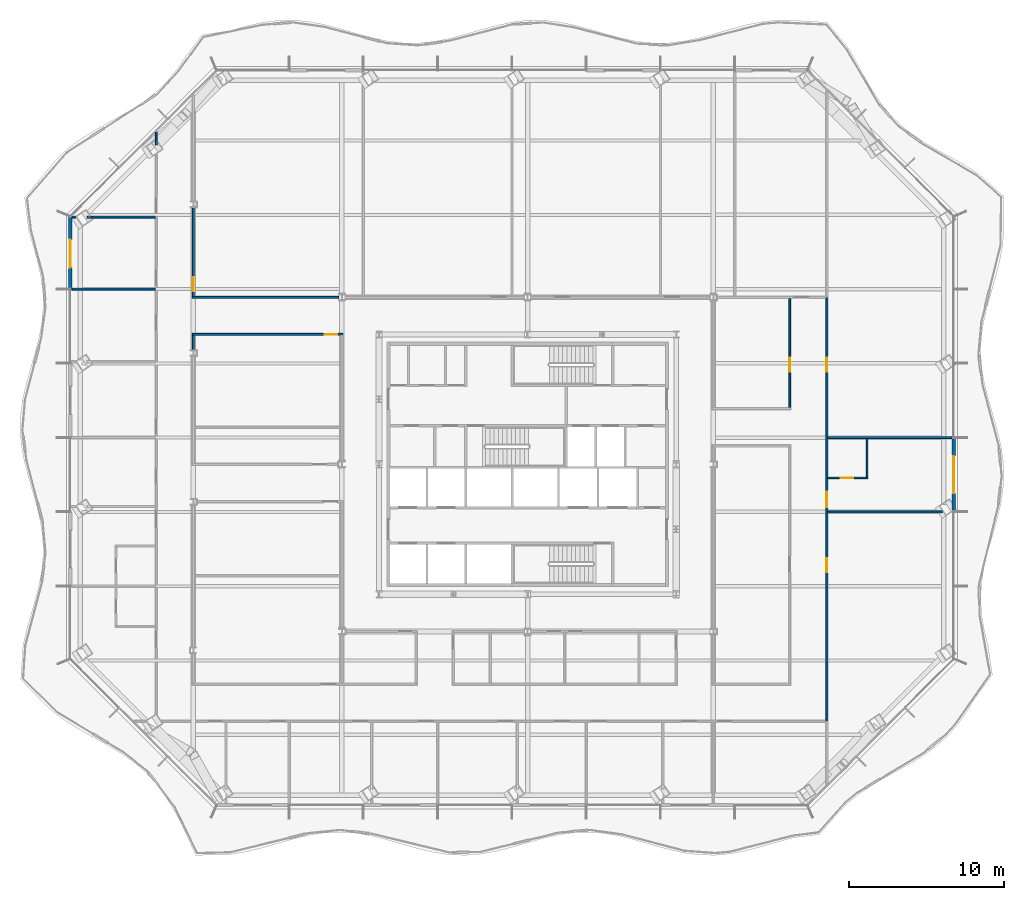
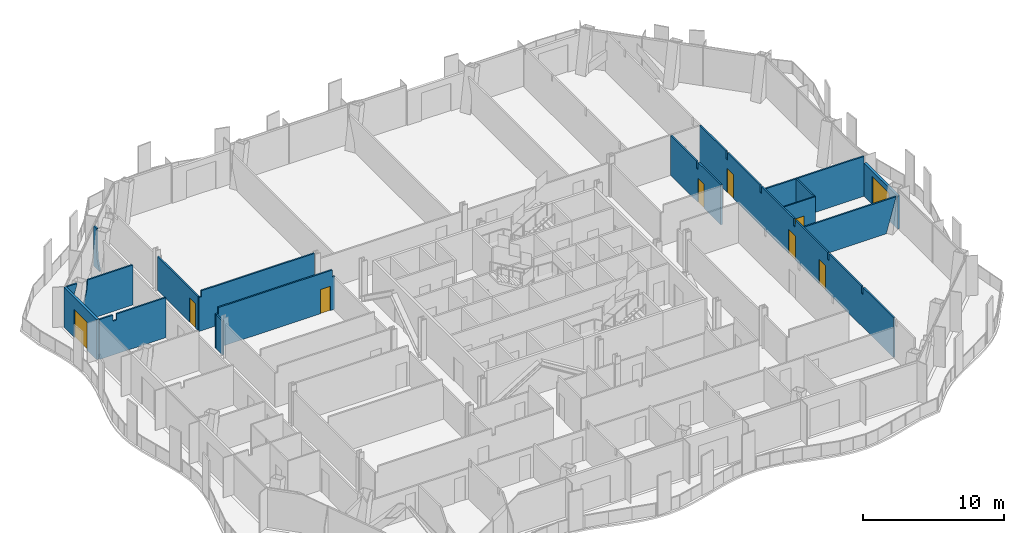
# One storey, part 11 of 21: 16 walls, 9 doors, 9 openings.
"""IFC4 building model written with IfcOpenShell, lengths in metres."""

from ifc_helpers import new_model, si_unit, direction, frame, frame_2d, origin, place, context, subcontext, project, spatial, polyline, rectangle, outline, extrude, material, layer, layer_set, type_object, element, fill, save


model = new_model("IFC4")

# Units and contexts
model_context = context("Model", 3, precision=1e-05, world=origin(), true_north=direction((0.0, 1.0)))
body_context = subcontext(model_context, "Body", "Model", "MODEL_VIEW")
ifc_project = project(units=[si_unit("LENGTHUNIT", "METRE"), si_unit("AREAUNIT", "SQUARE_METRE"), si_unit("VOLUMEUNIT", "CUBIC_METRE"), si_unit("PLANEANGLEUNIT", "RADIAN"), si_unit("MASSUNIT", "GRAM", prefix="KILO")], contexts=[model_context])

# Site, building, storey
site_placement = place(None, origin())
site = spatial("IfcSite", under=ifc_project, at=site_placement, CompositionType="ELEMENT")
building_placement = place(site_placement, origin())
building = spatial("IfcBuilding", under=site, at=building_placement, Name="Cairn Pilgrim Tower", CompositionType="ELEMENT")
storey_placement = place(building_placement, frame((0.0, 0.0, 108.60009765625)))
storey = spatial("IfcBuildingStorey", under=building, at=storey_placement, Name="L26", CompositionType="ELEMENT", Elevation=108.60009765625)

# Wall, opening, door
ifc_material_1 = material(Name="Bronze anodised aluminium insulated sandwich panel with mineral wool fill", Category="aluminium")
ifc_layer_1 = layer(ifc_material_1, 0.199951171875)
ifc_layer_set_1 = layer_set([ifc_layer_1], Name="BRONZE INFILL FRAME WALL 200")
wall_type_1 = type_object("IfcWallType", Name="BRONZE INFILL FRAME WALL 200", PredefinedType="NOTDEFINED", material=ifc_layer_set_1)
wall_1_placement = place(storey_placement, frame((34.74169921875, -0.642333984375, 0.0), z_axis=(0.0, 0.0, 1.0), x_axis=(0.0, 1.0, 0.0)))
wall_1 = element("IfcWall", 1, at=wall_1_placement, inside=storey, type_object=wall_type_1, Name="Bronze infill frame wall IW-E3", PredefinedType="NOTDEFINED", context=body_context, shape_type="SweptSolid", body=[
    extrude(rectangle(XDim=4.739990234375, YDim=0.199951171875, at=frame_2d((2.3701171875, 0.0))), origin(), (0.0, 0.0, 1.0), 2.849853515625),
])
opening_1_placement = place(wall_1_placement, frame((1.170166015625, 0.0, 0.0)))
opening_1 = element("IfcOpeningElement", 2, at=opening_1_placement, cuts=wall_1, Name="Opening 2622B", PredefinedType="OPENING", context=body_context, shape_type="SweptSolid", body=[
    extrude(rectangle(XDim=2.39990234375, YDim=2.39990234375, at=frame_2d((1.199951171875, 1.199951171875))), frame((0.0, 0.10986328125, 0.0), z_axis=(0.0, -1.0, 0.0), x_axis=(1.0, 0.0, 0.0)), (0.0, 0.0, 1.0), 0.219970703125),
])
ifc_material_2 = material(Name="Bronze anodised aluminium frame with tinted low-E glass", Category="aluminium")
door_type_1 = type_object("IfcDoorType", Name="BALCONY SLIDING DOOR 2400x2400", OperationType="DOUBLE_DOOR_SLIDING", PredefinedType="DOOR", material=ifc_material_2)
door_1_placement = place(opening_1_placement, origin())
door_1 = element("IfcDoor", 3, at=door_1_placement, inside=storey, type_object=door_type_1, Name="Balcony sliding door 2622B", OperationType="SINGLE_SWING_LEFT", OverallHeight=2.39990234375, OverallWidth=2.39990234375, PredefinedType="DOOR", context=body_context, shape_type="SweptSolid", body=[
    extrude(rectangle(XDim=2.39990234375, YDim=2.39990234375, at=frame_2d((1.199951171875, 1.199951171875))), frame((0.0, 0.02490234375, 0.0), z_axis=(0.0, -1.0, 0.0), x_axis=(1.0, 0.0, 0.0)), (0.0, 0.0, 1.0), 0.050048828125),
])
fill(opening_1, door_1)

wall_2_placement = place(storey_placement, frame((-22.3583984375, 18.38427734375, 0.0), z_axis=(0.0, 0.0, 1.0), x_axis=(0.0, -1.0, 0.0)))
wall_2 = element("IfcWall", 4, at=wall_2_placement, inside=storey, type_object=wall_type_1, Name="Bronze infill frame wall IW-W1", PredefinedType="NOTDEFINED", context=body_context, shape_type="SweptSolid", body=[
    extrude(rectangle(XDim=4.62646484375, YDim=0.199951171875, at=frame_2d((2.313232421875, 0.0))), origin(), (0.0, 0.0, 1.0), 3.449951171875),
])
opening_2_placement = place(wall_2_placement, frame((1.458251953125, 0.0, 0.0)))
opening_2 = element("IfcOpeningElement", 5, at=opening_2_placement, cuts=wall_2, Name="Opening 2614B", PredefinedType="OPENING", context=body_context, shape_type="SweptSolid", body=[
    extrude(rectangle(XDim=1.800048828125, YDim=2.39990234375, at=frame_2d((0.89990234375, 1.199951171875))), frame((0.0, 0.10986328125, 0.0), z_axis=(0.0, -1.0, 0.0), x_axis=(1.0, 0.0, 0.0)), (0.0, 0.0, 1.0), 0.219970703125),
])
door_type_2 = type_object("IfcDoorType", Name="BALCONY SLIDING DOOR 1800x2400", OperationType="DOUBLE_DOOR_SLIDING", PredefinedType="DOOR", material=ifc_material_2)
door_2_placement = place(opening_2_placement, origin())
door_2 = element("IfcDoor", 6, at=door_2_placement, inside=storey, type_object=door_type_2, Name="Balcony sliding door 2614B", OperationType="SINGLE_SWING_LEFT", OverallHeight=2.39990234375, OverallWidth=1.800048828125, PredefinedType="DOOR", context=body_context, shape_type="SweptSolid", body=[
    extrude(rectangle(XDim=1.800048828125, YDim=2.39990234375, at=frame_2d((0.89990234375, 1.199951171875))), frame((0.0, 0.02490234375, 0.0), z_axis=(0.0, -1.0, 0.0), x_axis=(1.0, 0.0, 0.0)), (0.0, 0.0, 1.0), 0.050048828125),
])
fill(opening_2, door_2)

ifc_material_3 = material(Name="Gypsum partition")
ifc_layer_2 = layer(ifc_material_3, 0.10009765625)
ifc_layer_set_2 = layer_set([ifc_layer_2], Name="PARTITION 100 DRYWALL")
wall_type_2 = type_object("IfcWallType", Name="PARTITION 100 DRYWALL", PredefinedType="PARTITIONING", material=ifc_layer_set_2)
wall_3_placement = place(storey_placement, frame((26.6044921875, 1.528076171875, 0.0), z_axis=(0.0, 0.0, 1.0), x_axis=(1.0, 0.0, 0.0)))
wall_3 = element("IfcWall", 7, at=wall_3_placement, inside=storey, type_object=wall_type_2, Name="PARTITION W047", PredefinedType="PARTITIONING", context=body_context, shape_type="SweptSolid", body=[
    extrude(rectangle(XDim=2.58740234375, YDim=0.10009765625, at=frame_2d((1.293701171875, 0.0))), origin(), (0.0, 0.0, 1.0), 3.449951171875),
])
opening_3_placement = place(wall_3_placement, frame((0.83740234375, 0.0, 0.0)))
opening_3 = element("IfcOpeningElement", 8, at=opening_3_placement, cuts=wall_3, Name="Opening 2622E", PredefinedType="OPENING", context=body_context, shape_type="SweptSolid", body=[
    extrude(rectangle(XDim=0.800048828125, YDim=2.10009765625, at=frame_2d((0.39990234375, 1.050048828125))), frame((0.0, 0.06005859375, 0.0), z_axis=(0.0, -1.0, 0.0), x_axis=(1.0, 0.0, 0.0)), (0.0, 0.0, 1.0), 0.1201171875),
])
ifc_material_4 = material(Name="Timber door leaf", Category="wood")
door_type_3 = type_object("IfcDoorType", Name="DOOR 800x2100", OperationType="NOTDEFINED", PredefinedType="DOOR", material=ifc_material_4)
door_3_placement = place(opening_3_placement, origin())
door_3 = element("IfcDoor", 9, at=door_3_placement, inside=storey, type_object=door_type_3, Name="DOOR 2622E", OperationType="SINGLE_SWING_RIGHT", OverallHeight=2.10009765625, OverallWidth=0.800048828125, PredefinedType="DOOR", context=body_context, shape_type="SweptSolid", body=[
    extrude(rectangle(XDim=0.800048828125, YDim=2.10009765625, at=frame_2d((0.39990234375, 1.050048828125))), frame((0.0, 0.02490234375, 0.0), z_axis=(0.0, -1.0, 0.0), x_axis=(1.0, 0.0, 0.0)), (0.0, 0.0, 1.0), 0.050048828125),
])
fill(opening_3, door_3)

# Wall
wall_4_placement = place(storey_placement, frame((29.14208984375, 1.577880859375, 0.0), z_axis=(0.0, 0.0, 1.0), x_axis=(0.0, 1.0, 0.0)))
element("IfcWall", 10, at=wall_4_placement, inside=storey, type_object=wall_type_2, Name="PARTITION W048", PredefinedType="PARTITIONING", context=body_context, shape_type="SweptSolid", body=[
    extrude(rectangle(XDim=2.487548828125, YDim=0.10009765625, at=frame_2d((1.24365234375, 0.0))), origin(), (0.0, 0.0, 1.0), 3.449951171875),
])

# Wall, openings, doors
ifc_layer_3 = layer(ifc_material_3, 0.125)
ifc_layer_set_3 = layer_set([ifc_layer_3], Name="PARTITION 125 DRYWALL EI 60")
wall_type_3 = type_object("IfcWallType", Name="PARTITION 125 DRYWALL EI 60", PredefinedType="PARTITIONING", material=ifc_layer_set_3)
wall_5_placement = place(storey_placement, frame((26.5419921875, -14.199951171875, 0.0), z_axis=(0.0, 0.0, 1.0), x_axis=(0.0, 1.0, 0.0)))
wall_5 = element("IfcWall", 11, at=wall_5_placement, inside=storey, type_object=wall_type_3, Name="PARTITION W016", PredefinedType="PARTITIONING", context=body_context, shape_type="SweptSolid", body=[
    extrude(outline(polyline([(0.0, 0.0), (27.39990234375, 0.0), (27.39990234375, 3.449951171875), (23.6962890625, 3.449951171875), (23.6943359375, 2.829833984375), (23.476318359375, 2.829833984375), (23.474365234375, 3.449951171875), (18.896240234375, 3.449951171875), (18.894287109375, 2.829833984375), (18.67626953125, 2.829833984375), (18.67431640625, 3.449951171875), (14.09619140625, 3.449951171875), (14.09423828125, 2.829833984375), (13.876220703125, 2.829833984375), (13.874267578125, 3.449951171875), (9.29638671875, 3.449951171875), (9.294189453125, 2.829833984375), (9.076416015625, 2.829833984375), (9.07421875, 3.449951171875), (4.496337890625, 3.449951171875), (4.494384765625, 2.829833984375), (4.2763671875, 2.829833984375), (4.2744140625, 3.449951171875), (0.0, 3.449951171875), (0.0, 0.0)])), frame((0.0, 0.0625, 0.0), z_axis=(0.0, -1.0, 0.0), x_axis=(1.0, 0.0, 0.0)), (0.0, 0.0, 1.0), 0.125),
])
opening_4_placement = place(wall_5_placement, frame((9.6279296875, 0.0, 0.0)))
opening_4 = element("IfcOpeningElement", 12, at=opening_4_placement, cuts=wall_5, Name="Opening 2621", PredefinedType="OPENING", context=body_context, shape_type="SweptSolid", body=[
    extrude(rectangle(XDim=0.89990234375, YDim=2.10009765625, at=frame_2d((0.449951171875, 1.050048828125))), frame((0.0, 0.072509765625, 0.0), z_axis=(0.0, -1.0, 0.0), x_axis=(1.0, 0.0, 0.0)), (0.0, 0.0, 1.0), 0.14501953125),
])
opening_5_placement = place(wall_5_placement, frame((13.827880859375, 0.0, 0.0)))
opening_5 = element("IfcOpeningElement", 13, at=opening_5_placement, cuts=wall_5, Name="Opening 2622", PredefinedType="OPENING", context=body_context, shape_type="SweptSolid", body=[
    extrude(rectangle(XDim=1.0, YDim=2.10009765625, at=frame_2d((0.5, 1.050048828125))), frame((0.0, 0.072509765625, 0.0), z_axis=(0.0, -1.0, 0.0), x_axis=(1.0, 0.0, 0.0)), (0.0, 0.0, 1.0), 0.14501953125),
])
opening_6_placement = place(wall_5_placement, frame((22.60009765625, 0.0, 0.0)))
opening_6 = element("IfcOpeningElement", 14, at=opening_6_placement, cuts=wall_5, Name="Opening 2623", PredefinedType="OPENING", context=body_context, shape_type="SweptSolid", body=[
    extrude(rectangle(XDim=0.89990234375, YDim=2.10009765625, at=frame_2d((0.449951171875, 1.050048828125))), frame((0.0, 0.072509765625, 0.0), z_axis=(0.0, -1.0, 0.0), x_axis=(1.0, 0.0, 0.0)), (0.0, 0.0, 1.0), 0.14501953125),
])
door_type_4 = type_object("IfcDoorType", Name="ACCESSIBLE DOOR 1000x2100 FD30S", OperationType="NOTDEFINED", PredefinedType="DOOR", material=ifc_material_4)
door_4_placement = place(opening_5_placement, frame((1.0, 0.0, 0.0), z_axis=(0.0, 0.0, 1.0), x_axis=(-1.0, 0.0, 0.0)))
door_4 = element("IfcDoor", 15, at=door_4_placement, inside=storey, type_object=door_type_4, Name="DOOR 2622", OperationType="SINGLE_SWING_LEFT", OverallHeight=2.10009765625, OverallWidth=1.0, PredefinedType="DOOR", context=body_context, shape_type="SweptSolid", body=[
    extrude(rectangle(XDim=1.0, YDim=2.10009765625, at=frame_2d((0.5, 1.050048828125))), frame((0.0, 0.02490234375, 0.0), z_axis=(0.0, -1.0, 0.0), x_axis=(1.0, 0.0, 0.0)), (0.0, 0.0, 1.0), 0.050048828125),
])
fill(opening_5, door_4)
ifc_material_5 = material(Name="Steel-faced fire door leaf", Category="steel")
door_type_5 = type_object("IfcDoorType", Name="FIRE DOOR 900x2100 FD30S", OperationType="NOTDEFINED", PredefinedType="DOOR", material=ifc_material_5)
door_5_placement = place(opening_4_placement, frame((0.89990234375, 0.0, 0.0), z_axis=(0.0, 0.0, 1.0), x_axis=(-1.0, 0.0, 0.0)))
door_5 = element("IfcDoor", 16, at=door_5_placement, inside=storey, type_object=door_type_5, Name="DOOR 2621", OperationType="SINGLE_SWING_RIGHT", OverallHeight=2.10009765625, OverallWidth=0.89990234375, PredefinedType="DOOR", context=body_context, shape_type="SweptSolid", body=[
    extrude(rectangle(XDim=0.89990234375, YDim=2.10009765625, at=frame_2d((0.449951171875, 1.050048828125))), frame((0.0, 0.02490234375, 0.0), z_axis=(0.0, -1.0, 0.0), x_axis=(1.0, 0.0, 0.0)), (0.0, 0.0, 1.0), 0.050048828125),
])
fill(opening_4, door_5)
door_6_placement = place(opening_6_placement, frame((0.89990234375, 0.0, 0.0), z_axis=(0.0, 0.0, 1.0), x_axis=(-1.0, 0.0, 0.0)))
door_6 = element("IfcDoor", 17, at=door_6_placement, inside=storey, type_object=door_type_5, Name="DOOR 2623", OperationType="SINGLE_SWING_LEFT", OverallHeight=2.10009765625, OverallWidth=0.89990234375, PredefinedType="DOOR", context=body_context, shape_type="SweptSolid", body=[
    extrude(rectangle(XDim=0.89990234375, YDim=2.10009765625, at=frame_2d((0.449951171875, 1.050048828125))), frame((0.0, 0.02490234375, 0.0), z_axis=(0.0, -1.0, 0.0), x_axis=(1.0, 0.0, 0.0)), (0.0, 0.0, 1.0), 0.050048828125),
])
fill(opening_6, door_6)

# Walls
wall_6_placement = place(storey_placement, frame((26.6044921875, -0.672119140625, 0.0), z_axis=(0.0, 0.0, 1.0), x_axis=(1.0, 0.0, 0.0)))
element("IfcWall", 18, at=wall_6_placement, inside=storey, type_object=wall_type_3, Name="PARTITION W043", PredefinedType="PARTITIONING", context=body_context, shape_type="SweptSolid", body=[
    extrude(outline(polyline([(0.0, 0.0), (7.076416015625, 0.0), (7.314208984375, 0.8623046875), (7.552490234375, 1.724853515625), (7.790283203125, 2.58740234375), (7.885009765625, 2.929931640625), (0.0, 2.929931640625), (0.0, 2.58740234375), (0.0, 1.724853515625), (0.0, 0.8623046875), (0.0, 0.0)])), frame((0.0, 0.0625, 0.0), z_axis=(0.0, -1.0, 0.0), x_axis=(1.0, 0.0, 0.0)), (0.0, 0.0, 1.0), 0.125),
])
wall_7_placement = place(storey_placement, frame((26.6044921875, 4.1279296875, 0.0), z_axis=(0.0, 0.0, 1.0), x_axis=(1.0, 0.0, 0.0)))
element("IfcWall", 19, at=wall_7_placement, inside=storey, type_object=wall_type_3, Name="PARTITION W055", PredefinedType="PARTITIONING", context=body_context, shape_type="SweptSolid", body=[
    extrude(outline(polyline([(0.0, 0.0), (8.037109375, 0.0), (8.037109375, 2.929931640625), (8.02490234375, 2.929931640625), (8.02294921875, 3.449951171875), (0.0, 3.449951171875), (0.0, 0.0)])), frame((0.0, 0.0625, 0.0), z_axis=(0.0, -1.0, 0.0), x_axis=(1.0, 0.0, 0.0)), (0.0, 0.0, 1.0), 0.125),
])

# Wall, opening, door
wall_8_placement = place(storey_placement, frame((24.14208984375, 6.0625, 0.0), z_axis=(0.0, 0.0, 1.0), x_axis=(0.0, 1.0, 0.0)))
wall_8 = element("IfcWall", 20, at=wall_8_placement, inside=storey, type_object=wall_type_3, Name="PARTITION W059", PredefinedType="PARTITIONING", context=body_context, shape_type="SweptSolid", body=[
    extrude(outline(polyline([(0.0, 0.0), (7.074951171875, 0.0), (7.074951171875, 3.449951171875), (3.433837890625, 3.449951171875), (3.431884765625, 2.829833984375), (3.2138671875, 2.829833984375), (3.2119140625, 3.449951171875), (0.0, 3.449951171875), (0.0, 0.0)])), frame((0.0, 0.0625, 0.0), z_axis=(0.0, -1.0, 0.0), x_axis=(1.0, 0.0, 0.0)), (0.0, 0.0, 1.0), 0.125),
])
opening_7_placement = place(wall_8_placement, frame((2.33740234375, 0.0, 0.0)))
opening_7 = element("IfcOpeningElement", 21, at=opening_7_placement, cuts=wall_8, Name="Opening 2624", PredefinedType="OPENING", context=body_context, shape_type="SweptSolid", body=[
    extrude(rectangle(XDim=0.89990234375, YDim=2.10009765625, at=frame_2d((0.449951171875, 1.050048828125))), frame((0.0, 0.072509765625, 0.0), z_axis=(0.0, -1.0, 0.0), x_axis=(1.0, 0.0, 0.0)), (0.0, 0.0, 1.0), 0.14501953125),
])
door_7_placement = place(opening_7_placement, origin())
door_7 = element("IfcDoor", 22, at=door_7_placement, inside=storey, type_object=door_type_5, Name="DOOR 2624", OperationType="SINGLE_SWING_RIGHT", OverallHeight=2.10009765625, OverallWidth=0.89990234375, PredefinedType="DOOR", context=body_context, shape_type="SweptSolid", body=[
    extrude(rectangle(XDim=0.89990234375, YDim=2.10009765625, at=frame_2d((0.449951171875, 1.050048828125))), frame((0.0, 0.02490234375, 0.0), z_axis=(0.0, -1.0, 0.0), x_axis=(1.0, 0.0, 0.0)), (0.0, 0.0, 1.0), 0.050048828125),
])
fill(opening_7, door_7)

# Wall
wall_9_placement = place(storey_placement, frame((-14.39990234375, 9.79638671875, 0.0), z_axis=(0.0, 0.0, 1.0), x_axis=(0.0, 1.0, 0.0)))
element("IfcWall", 23, at=wall_9_placement, inside=storey, type_object=wall_type_3, Name="PARTITION W062", PredefinedType="PARTITIONING", context=body_context, shape_type="SweptSolid", body=[
    extrude(rectangle(XDim=0.941162109375, YDim=0.125, at=frame_2d((0.470703125, 0.0))), origin(), (0.0, 0.0, 1.0), 2.929931640625),
])

# Wall, opening, door
wall_10_placement = place(storey_placement, frame((-14.46240234375, 10.800048828125, 0.0), z_axis=(0.0, 0.0, 1.0), x_axis=(1.0, 0.0, 0.0)))
wall_10 = element("IfcWall", 24, at=wall_10_placement, inside=storey, type_object=wall_type_3, Name="PARTITION W063", PredefinedType="PARTITIONING", context=body_context, shape_type="SweptSolid", body=[
    extrude(outline(polyline([(0.0, 0.0), (9.724853515625, 0.0), (9.72509765625, 2.829833984375), (9.512451171875, 2.829833984375), (9.510498046875, 3.449951171875), (0.21240234375, 3.449951171875), (0.21044921875, 2.929931640625), (0.0, 2.929931640625), (0.0, 0.0)])), frame((0.0, 0.0625, 0.0), z_axis=(0.0, -1.0, 0.0), x_axis=(1.0, 0.0, 0.0)), (0.0, 0.0, 1.0), 0.125),
])
opening_8_placement = place(wall_10_placement, frame((8.5625, 0.0, 0.0)))
opening_8 = element("IfcOpeningElement", 25, at=opening_8_placement, cuts=wall_10, Name="Opening 2630", PredefinedType="OPENING", context=body_context, shape_type="SweptSolid", body=[
    extrude(rectangle(XDim=0.800048828125, YDim=2.10009765625, at=frame_2d((0.39990234375, 1.050048828125))), frame((0.0, 0.072509765625, 0.0), z_axis=(0.0, -1.0, 0.0), x_axis=(1.0, 0.0, 0.0)), (0.0, 0.0, 1.0), 0.14501953125),
])
door_type_6 = type_object("IfcDoorType", Name="FIRE DOOR 800x2100 FD30S", OperationType="NOTDEFINED", PredefinedType="DOOR", material=ifc_material_5)
door_8_placement = place(opening_8_placement, frame((0.800048828125, 0.0, 0.0), z_axis=(0.0, 0.0, 1.0), x_axis=(-1.0, 0.0, 0.0)))
door_8 = element("IfcDoor", 26, at=door_8_placement, inside=storey, type_object=door_type_6, Name="DOOR 2630", OperationType="SINGLE_SWING_RIGHT", OverallHeight=2.10009765625, OverallWidth=0.800048828125, PredefinedType="DOOR", context=body_context, shape_type="SweptSolid", body=[
    extrude(rectangle(XDim=0.800048828125, YDim=2.10009765625, at=frame_2d((0.39990234375, 1.050048828125))), frame((0.0, 0.02490234375, 0.0), z_axis=(0.0, -1.0, 0.0), x_axis=(1.0, 0.0, 0.0)), (0.0, 0.0, 1.0), 0.050048828125),
])
fill(opening_8, door_8)

# Wall
wall_11_placement = place(storey_placement, frame((-14.46240234375, 13.199951171875, 0.0), z_axis=(0.0, 0.0, 1.0), x_axis=(1.0, 0.0, 0.0)))
element("IfcWall", 27, at=wall_11_placement, inside=storey, type_object=wall_type_3, Name="PARTITION W064", PredefinedType="PARTITIONING", context=body_context, shape_type="SweptSolid", body=[
    extrude(outline(polyline([(0.0, 0.0), (9.4580078125, 0.0), (9.4580078125, 3.449951171875), (0.21240234375, 3.449951171875), (0.21044921875, 2.929931640625), (0.0, 2.929931640625), (0.0, 0.0)])), frame((0.0, 0.0625, 0.0), z_axis=(0.0, -1.0, 0.0), x_axis=(1.0, 0.0, 0.0)), (0.0, 0.0, 1.0), 0.125),
])

# Wall, opening, door
wall_12_placement = place(storey_placement, frame((-14.39990234375, 13.262451171875, 0.0), z_axis=(0.0, 0.0, 1.0), x_axis=(0.0, 1.0, 0.0)))
wall_12 = element("IfcWall", 28, at=wall_12_placement, inside=storey, type_object=wall_type_3, Name="PARTITION W070", PredefinedType="PARTITIONING", context=body_context, shape_type="SweptSolid", body=[
    extrude(rectangle(XDim=5.740966796875, YDim=0.125, at=frame_2d((2.87060546875, 0.0))), origin(), (0.0, 0.0, 1.0), 2.929931640625),
])
opening_9_placement = place(wall_12_placement, frame((0.320556640625, 0.0, 0.0)))
opening_9 = element("IfcOpeningElement", 29, at=opening_9_placement, cuts=wall_12, Name="Opening 2616", PredefinedType="OPENING", context=body_context, shape_type="SweptSolid", body=[
    extrude(rectangle(XDim=0.89990234375, YDim=2.10009765625, at=frame_2d((0.449951171875, 1.050048828125))), frame((0.0, 0.072509765625, 0.0), z_axis=(0.0, -1.0, 0.0), x_axis=(1.0, 0.0, 0.0)), (0.0, 0.0, 1.0), 0.14501953125),
])
door_9_placement = place(opening_9_placement, frame((0.89990234375, 0.0, 0.0), z_axis=(0.0, 0.0, 1.0), x_axis=(-1.0, 0.0, 0.0)))
door_9 = element("IfcDoor", 30, at=door_9_placement, inside=storey, type_object=door_type_5, Name="DOOR 2616", OperationType="SINGLE_SWING_LEFT", OverallHeight=2.10009765625, OverallWidth=0.89990234375, PredefinedType="DOOR", context=body_context, shape_type="SweptSolid", body=[
    extrude(rectangle(XDim=0.89990234375, YDim=2.10009765625, at=frame_2d((0.449951171875, 1.050048828125))), frame((0.0, 0.02490234375, 0.0), z_axis=(0.0, -1.0, 0.0), x_axis=(1.0, 0.0, 0.0)), (0.0, 0.0, 1.0), 0.050048828125),
])
fill(opening_9, door_9)

# Walls
wall_13_placement = place(storey_placement, frame((-22.25830078125, 13.72802734375, 0.0), z_axis=(0.0, 0.0, 1.0), x_axis=(1.0, 0.0, 0.0)))
element("IfcWall", 31, at=wall_13_placement, inside=storey, type_object=wall_type_3, Name="PARTITION W075", PredefinedType="PARTITIONING", context=body_context, shape_type="SweptSolid", body=[
    extrude(outline(polyline([(0.0, 0.0), (5.395751953125, 0.0), (5.39599609375, 3.449951171875), (1.387939453125, 3.449951171875), (1.385986328125, 2.929931640625), (1.087890625, 2.929931640625), (1.0859375, 3.449951171875), (0.0, 3.449951171875), (0.0, 0.0)])), frame((0.0, 0.0625, 0.0), z_axis=(0.0, -1.0, 0.0), x_axis=(1.0, 0.0, 0.0)), (0.0, 0.0, 1.0), 0.125),
])
wall_14_placement = place(storey_placement, frame((-22.228515625, 18.384033203125, 0.0), z_axis=(0.0, 0.0, 1.0), x_axis=(1.0, 0.0, 0.0)))
element("IfcWall", 32, at=wall_14_placement, inside=storey, type_object=wall_type_3, Name="PARTITION W076", PredefinedType="PARTITIONING", context=body_context, shape_type="SweptSolid", body=[
    extrude(outline(polyline([(0.0, 0.0), (0.048583984375, 0.0), (0.150146484375, 0.8623046875), (0.349853515625, 1.724853515625), (0.587890625, 2.58740234375), (0.825927734375, 3.449951171875), (0.0, 3.449951171875), (0.0, 2.58740234375), (0.0, 1.724853515625), (0.0, 0.8623046875), (0.0, 0.0)])), frame((0.0, 0.0625, 0.0), z_axis=(0.0, -1.0, 0.0), x_axis=(1.0, 0.0, 0.0)), (0.0, 0.0, 1.0), 0.125),
])
wall_15_placement = place(storey_placement, frame((-21.284912109375, 18.384033203125, 0.0), z_axis=(0.0, 0.0, 1.0), x_axis=(1.0, 0.0, 0.0)))
element("IfcWall", 33, at=wall_15_placement, inside=storey, type_object=wall_type_3, Name="PARTITION W077", PredefinedType="PARTITIONING", context=body_context, shape_type="SweptSolid", body=[
    extrude(outline(polyline([(0.0, 0.0), (4.42236328125, 0.0), (4.42236328125, 0.8623046875), (4.42236328125, 1.724853515625), (4.42236328125, 2.58740234375), (4.42236328125, 3.449951171875), (0.73486328125, 3.449951171875), (0.662841796875, 2.58740234375), (0.47607421875, 1.724853515625), (0.238037109375, 0.8623046875), (0.0, 0.0)])), frame((0.0, 0.0625, 0.0), z_axis=(0.0, -1.0, 0.0), x_axis=(1.0, 0.0, 0.0)), (0.0, 0.0, 1.0), 0.125),
])
wall_16_placement = place(storey_placement, frame((-16.800048828125, 23.029052734375, 0.0), z_axis=(0.0, 0.0, 1.0), x_axis=(0.0, 1.0, 0.0)))
element("IfcWall", 34, at=wall_16_placement, inside=storey, type_object=wall_type_3, Name="PARTITION W079", PredefinedType="PARTITIONING", context=body_context, shape_type="SweptSolid", body=[
    extrude(outline(polyline([(0.0, 0.0), (0.845703125, 0.0), (0.845703125, 0.8623046875), (0.845703125, 1.724853515625), (0.845703125, 2.58740234375), (0.845703125, 3.449951171875), (0.4326171875, 3.449951171875), (0.4326171875, 2.58740234375), (0.4326171875, 1.724853515625), (0.351806640625, 0.8623046875), (0.0, 0.0)])), frame((0.0, 0.0625, 0.0), z_axis=(0.0, -1.0, 0.0), x_axis=(1.0, 0.0, 0.0)), (0.0, 0.0, 1.0), 0.125),
])

save(model, "model.ifc")
